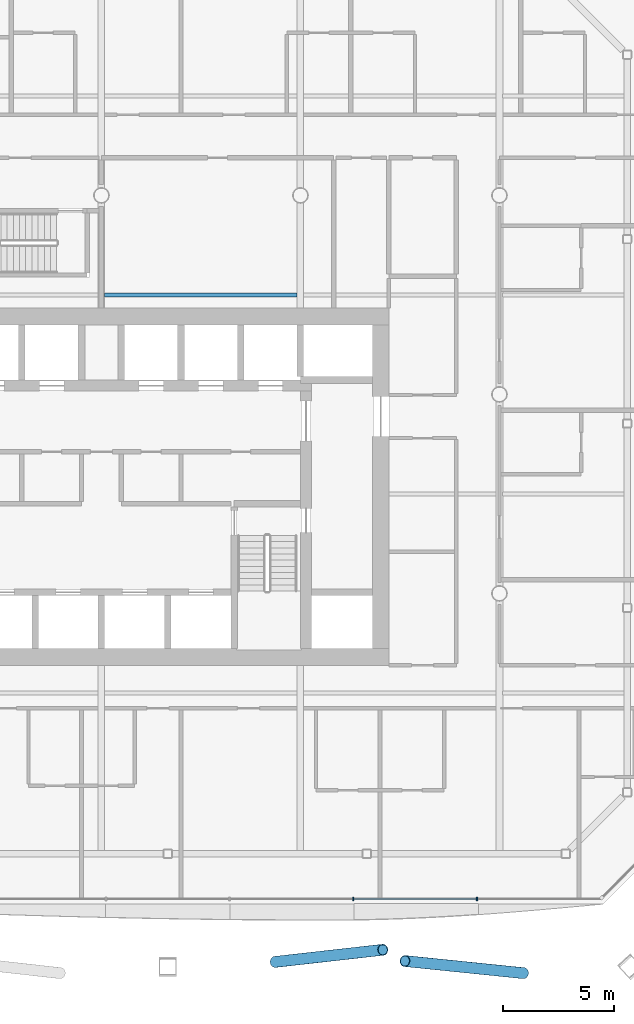
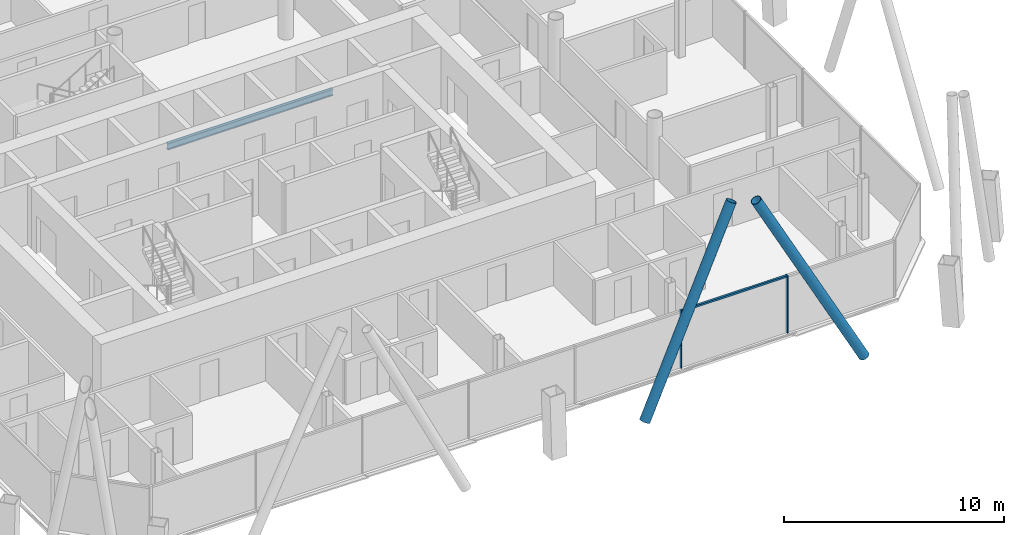
# One storey, part 6 of 23: 5 members, 1 beam, 1 element without a shape of its own.
"""IFC4 building model written with IfcOpenShell, lengths in metres."""

import ifcopenshell
import ifcopenshell.guid

model = None  # the IFC model being written
_history = None  # IfcOwnerHistory: only IFC2X3 demands one
_inside = {}  # id of a spatial element -> (the spatial element, [elements in it])
_under = {}  # id of a project, library or spatial element -> (it, [spatial elements below it])
_declared = {}  # id of a project -> (the project, [libraries it declares])
_typed = {}  # id of a type object -> (the type object, [elements of that type])
_made_of = {}  # id of a material, layer set ... -> (it, [elements and type objects made of it])


def new_model(schema):
    """Start an empty IFC model of exactly this schema.

    Asked for "IFC4X3", IfcOpenShell would pick the latest addendum, in which some entities
    have other attributes; the version numbers below select the first issue.
    IFC2X3 requires an IfcOwnerHistory on every rooted entity: one is made here for all.
    """
    global model, _history
    if schema == "IFC4X3":
        model = ifcopenshell.file(schema_version=(4, 3, 0, 0))
    else:
        model = ifcopenshell.file(schema=schema)
    _inside.clear()
    _under.clear()
    _declared.clear()
    _typed.clear()
    _made_of.clear()
    _history = None
    if model.schema == "IFC2X3":
        org = make("IfcOrganization", Name="unknown")
        user = make(
            "IfcPersonAndOrganization",
            ThePerson=make("IfcPerson", FamilyName="unknown"),
            TheOrganization=org,
        )
        app = make(
            "IfcApplication",
            ApplicationDeveloper=org,
            Version="unknown",
            ApplicationFullName="unknown",
            ApplicationIdentifier="unknown",
        )
        _history = make(
            "IfcOwnerHistory",
            OwningUser=user,
            OwningApplication=app,
            ChangeAction="ADDED",
            CreationDate=0,
        )
    return model


def make(cls, **values):
    """One entity of the class cls with the attributes given. An attribute that is None is left unset."""
    return model.create_entity(
        cls, **{name: value for name, value in values.items() if value is not None}
    )


def rooted(cls, **values):
    """An entity with a GlobalId (a new one), such as an element, a storey or a relation."""
    return make(cls, GlobalId=ifcopenshell.guid.new(), OwnerHistory=_history, **values)


def si_unit(unit_type, name, prefix=None):
    """IfcSIUnit, for example si_unit("LENGTHUNIT", "METRE", prefix="MILLI")."""
    return make("IfcSIUnit", UnitType=unit_type, Prefix=prefix, Name=name)


def assignment(units):
    """IfcUnitAssignment: the units of a project."""
    return None if units is None else make("IfcUnitAssignment", Units=units)


def point(xyz):
    """IfcCartesianPoint."""
    return None if xyz is None else make("IfcCartesianPoint", Coordinates=xyz)


def direction(xyz):
    """IfcDirection."""
    return None if xyz is None else make("IfcDirection", DirectionRatios=xyz)


def frame(location, z_axis=None, x_axis=None):
    """IfcAxis2Placement3D, a coordinate frame: its origin and axes. An axis left out is left unset."""
    return make(
        "IfcAxis2Placement3D",
        Location=point(location),
        Axis=direction(z_axis),
        RefDirection=direction(x_axis),
    )


def frame_2d(location, x_axis=None):
    """IfcAxis2Placement2D, a coordinate frame in the plane: its origin and x axis."""
    return make(
        "IfcAxis2Placement2D", Location=point(location), RefDirection=direction(x_axis)
    )


def origin():
    """The frame at (0, 0, 0) with its axes left unset."""
    return frame((0.0, 0.0, 0.0))


def origin_2d():
    """The frame at (0, 0) in the plane with its x axis left unset."""
    return frame_2d((0.0, 0.0))


def place(relative_to, where):
    """IfcLocalPlacement: puts the frame where relative to a parent placement (None: the world)."""
    return make(
        "IfcLocalPlacement", PlacementRelTo=relative_to, RelativePlacement=where
    )


def context(
    kind, dimensions, precision=None, world=None, true_north=None, identifier=None
):
    """IfcGeometricRepresentationContext, for example the 3D "Model" context."""
    return make(
        "IfcGeometricRepresentationContext",
        ContextIdentifier=identifier,
        ContextType=kind,
        CoordinateSpaceDimension=dimensions,
        Precision=precision,
        WorldCoordinateSystem=world,
        TrueNorth=true_north,
    )


def subcontext(parent, identifier, kind, view, scale=None):
    """IfcGeometricRepresentationSubContext, for example "Body" below "Model"."""
    return make(
        "IfcGeometricRepresentationSubContext",
        ContextIdentifier=identifier,
        ContextType=kind,
        ParentContext=parent,
        TargetScale=scale,
        TargetView=view,
    )


def project(units=None, contexts=None):
    """IfcProject with its units and contexts."""
    return rooted(
        "IfcProject",
        Name="project",
        RepresentationContexts=contexts,
        UnitsInContext=assignment(units),
    )


def spatial(cls, under=None, at=None, **own):
    """A site, building, storey or space (cls), placed at a placement, below another one or the project."""
    s = rooted(cls, ObjectPlacement=at, **own)
    if under is not None:
        _under.setdefault(under.id(), (under, []))[1].append(s)
    return s


def profile(cls, at=None, kind="AREA", **sizes):
    """A parametric profile (cls). Its sizes go by their IFC names, for example OverallWidth=200.0."""
    return make(cls, ProfileType=kind, Position=at, **sizes)


def rectangle(**sizes):
    """IfcRectangleProfileDef."""
    return profile("IfcRectangleProfileDef", **sizes)


def hollow_circle(**sizes):
    """IfcCircleHollowProfileDef."""
    return profile("IfcCircleHollowProfileDef", **sizes)


def i_section(**sizes):
    """IfcIShapeProfileDef."""
    return profile("IfcIShapeProfileDef", **sizes)


def extrude(swept, where, along, depth):
    """IfcExtrudedAreaSolid: the profile swept, set in the frame where, extruded along a direction by depth."""
    return make(
        "IfcExtrudedAreaSolid",
        SweptArea=swept,
        Position=where,
        ExtrudedDirection=direction(along),
        Depth=depth,
    )


def shape(context_of_items, identifier, shape_type, items):
    """IfcShapeRepresentation: the items that make up one representation, for example the "Body"."""
    return make(
        "IfcShapeRepresentation",
        ContextOfItems=context_of_items,
        RepresentationIdentifier=identifier,
        RepresentationType=shape_type,
        Items=items,
    )


def material(Name=None, Category=None):
    """IfcMaterial."""
    return make("IfcMaterial", Name=Name, Category=Category)


def material_profile(
    of_material, cross_section, Name=None, Category=None, Priority=None
):
    """IfcMaterialProfile: a cross section and its material."""
    return make(
        "IfcMaterialProfile",
        Name=Name,
        Material=of_material,
        Profile=cross_section,
        Priority=Priority,
        Category=Category,
    )


def profile_set(profiles, Name=None, composite=None):
    """IfcMaterialProfileSet."""
    return make(
        "IfcMaterialProfileSet",
        Name=Name,
        MaterialProfiles=profiles,
        CompositeProfile=composite,
    )


def made_of(thing, what):
    """Note that an element or type object is made of a material, layer set ...; save() writes the relation."""
    if what is not None:
        _made_of.setdefault(what.id(), (what, []))[1].append(thing)
    return thing


def type_object(cls, material=None, **own):
    """A type object (cls), such as IfcWallType, which elements share."""
    return made_of(rooted(cls, **own), material)


def element(
    cls,
    number,
    at=None,
    inside=None,
    cuts=None,
    type_object=None,
    material=None,
    context=None,
    identifier="Body",
    shape_type=None,
    held_by="IfcProductDefinitionShape",
    body=None,
    shapes=None,
    **own,
):
    """One element of the class cls, such as IfcWall. Its Tag is "e" and its number.

    at: its placement. inside: the storey or other place that contains it. cuts: it is an
    opening in that element (IfcRelVoidsElement). A single representation is given by context,
    identifier, shape_type and body (its items); several are given by shapes. held_by: the class
    of the entity that holds the representations. save() writes the other relations.
    """
    e = rooted(cls, Tag="e%d" % number, ObjectPlacement=at, **own)
    if body is not None:
        shapes = [shape(context, identifier, shape_type, body)]
    if shapes is not None:
        e.Representation = make(held_by, Representations=shapes)
    if inside is not None:
        _inside.setdefault(inside.id(), (inside, []))[1].append(e)
    if cuts is not None:
        rooted(
            "IfcRelVoidsElement", RelatingBuildingElement=cuts, RelatedOpeningElement=e
        )
    if type_object is not None:
        _typed.setdefault(type_object.id(), (type_object, []))[1].append(e)
    return made_of(e, material)


def aggregate(whole, parts):
    """IfcRelAggregates: a whole, such as a stair, and the parts it consists of."""
    return rooted("IfcRelAggregates", RelatingObject=whole, RelatedObjects=parts)


def save(model, path):
    """Write the relations noted so far, then the file.

    IfcRelAggregates (storeys below a building ...), IfcRelContainedInSpatialStructure (elements
    in a storey), IfcRelDefinesByType, IfcRelAssociatesMaterial and IfcRelDeclares: one each for
    every whole, place, type object, material and project.
    """
    for whole, parts in _under.values():
        aggregate(whole, parts)
    for where, things in _inside.values():
        rooted(
            "IfcRelContainedInSpatialStructure",
            RelatedElements=things,
            RelatingStructure=where,
        )
    for kind, things in _typed.values():
        rooted("IfcRelDefinesByType", RelatedObjects=things, RelatingType=kind)
    for what, things in _made_of.values():
        rooted("IfcRelAssociatesMaterial", RelatedObjects=things, RelatingMaterial=what)
    for by, libraries in _declared.values():
        rooted("IfcRelDeclares", RelatingContext=by, RelatedDefinitions=libraries)
    model.write(path)


model = new_model("IFC4")

# Units and contexts
model_context = context("Model", 3, precision=1e-05, world=origin(), true_north=direction((0.0, 1.0)))
body_context = subcontext(model_context, "Body", "Model", "MODEL_VIEW")
ifc_project = project(units=[si_unit("LENGTHUNIT", "METRE"), si_unit("AREAUNIT", "SQUARE_METRE"), si_unit("VOLUMEUNIT", "CUBIC_METRE"), si_unit("PLANEANGLEUNIT", "RADIAN"), si_unit("MASSUNIT", "GRAM", prefix="KILO")], contexts=[model_context])

# Site, building, storey
site_placement = place(None, origin())
site = spatial("IfcSite", under=ifc_project, at=site_placement, CompositionType="ELEMENT")
building_placement = place(site_placement, origin())
building = spatial("IfcBuilding", under=site, at=building_placement, Name="Tskaro Facet Tower", CompositionType="ELEMENT")
storey_placement = place(building_placement, frame((0.0, 0.0, 131.699951171875)))
storey = spatial("IfcBuildingStorey", under=building, at=storey_placement, Name="L31", CompositionType="ELEMENT", Elevation=131.699951171875)

# Members
ifc_material_1 = material(Name="Steel S355J2H", Category="steel")
ifc_material_profile_1 = material_profile(ifc_material_1, hollow_circle(Radius=0.25390625, WallThickness=0.02490234375, at=origin_2d()), Name="CHS 508x25")
ifc_profile_set_1 = profile_set([ifc_material_profile_1], Name="Steel S355J2H")
member_type_1 = type_object("IfcMemberType", Name="CHS 508x25 brace", PredefinedType="BRACE", material=ifc_profile_set_1)
member_1_placement = place(storey_placement, frame((7.862548828125, -25.665283203125, 0.0), z_axis=(0.42982031619, 0.048426810741, 0.901614851138), x_axis=(-0.111959207267, 0.993712803534, 0.0)))
element("IfcMember", 1, at=member_1_placement, inside=storey, type_object=member_type_1, Name="CHS 508x25 XB02A/3", PredefinedType="BRACE", context=body_context, shape_type="SweptSolid", body=[
    extrude(hollow_circle(Radius=0.25390625, WallThickness=0.02490234375, at=origin_2d()), origin(), (0.0, 0.0, 1.0), 11.31298828125),
])
member_2_placement = place(storey_placement, frame((19.088134765625, -26.17333984375, 0.0), z_axis=(-0.464824097966, 0.047487606457, 0.884128658727), x_axis=(-0.101633524217, -0.994821907054, 0.0)))
element("IfcMember", 2, at=member_2_placement, inside=storey, type_object=member_type_1, Name="CHS 508x25 XB02B/3", PredefinedType="BRACE", context=body_context, shape_type="SweptSolid", body=[
    extrude(hollow_circle(Radius=0.25390625, WallThickness=0.02490234375, at=origin_2d()), origin(), (0.0, 0.0, 1.0), 11.53662109375),
])

# Curtain wall, members
ifc_material_2 = material(Name="Bronze anodised aluminium 6063-T6", Category="aluminium")
curtain_wall_type = type_object("IfcCurtainWallType", Name="Bronze hotel curtain wall (FW2)", PredefinedType="NOTDEFINED", material=ifc_material_2)
curtain_wall_placement = place(storey_placement, origin())
curtain_wall = element("IfcCurtainWall", 3, at=curtain_wall_placement, inside=storey, type_object=curtain_wall_type, Name="FW2 south facet L31", PredefinedType="NOTDEFINED")
ifc_material_profile_2 = material_profile(ifc_material_2, rectangle(XDim=0.06005859375, YDim=0.14990234375, at=origin_2d()), Name="Mullion 60x150")
ifc_profile_set_2 = profile_set([ifc_material_profile_2], Name="Bronze anodised aluminium 6063-T6")
member_type_2 = type_object("IfcMemberType", Name="FW2 bronze mullion 60x150", PredefinedType="MULLION", material=ifc_profile_set_2)
member_3_placement = place(storey_placement, frame((11.388916015625, -22.820068359375, 0.0), z_axis=(0.0, 0.0, 1.0), x_axis=(1.0, 0.0, 0.0)))
member_3 = element("IfcMember", 4, at=member_3_placement, type_object=member_type_2, Name="FW2 south mullion 5", PredefinedType="MULLION", context=body_context, shape_type="SweptSolid", body=[
    extrude(rectangle(XDim=0.06005859375, YDim=0.14990234375, at=origin_2d()), origin(), (0.0, 0.0, 1.0), 3.199951171875),
])
member_4_placement = place(storey_placement, frame((16.9814453125, -22.820068359375, 0.0), z_axis=(0.0, 0.0, 1.0), x_axis=(1.0, 0.0, 0.0)))
member_4 = element("IfcMember", 5, at=member_4_placement, type_object=member_type_2, Name="FW2 south mullion 6", PredefinedType="MULLION", context=body_context, shape_type="SweptSolid", body=[
    extrude(rectangle(XDim=0.06005859375, YDim=0.14990234375, at=origin_2d()), origin(), (0.0, 0.0, 1.0), 3.199951171875),
])
ifc_material_profile_3 = material_profile(ifc_material_2, rectangle(XDim=0.110107421875, YDim=0.10009765625, at=origin_2d()), Name="Transom 110x100")
ifc_profile_set_3 = profile_set([ifc_material_profile_3], Name="Bronze anodised aluminium 6063-T6")
member_type_3 = type_object("IfcMemberType", Name="FW2 bronze transom 110x100", PredefinedType="USERDEFINED", material=ifc_profile_set_3)
member_5_placement = place(storey_placement, frame((11.4189453125, -22.820068359375, 3.150146484375), z_axis=(1.0, 0.0, 0.0), x_axis=(0.0, 1.0, 0.0)))
member_5 = element("IfcMember", 6, at=member_5_placement, type_object=member_type_3, Name="FW2 south transom 6.1", ObjectType="TRANSOM", PredefinedType="USERDEFINED", context=body_context, shape_type="SweptSolid", body=[
    extrude(rectangle(XDim=0.110107421875, YDim=0.10009765625, at=origin_2d()), origin(), (0.0, 0.0, 1.0), 5.532470703125),
])
aggregate(curtain_wall, [member_3, member_4, member_5])

# Beam
ifc_material_3 = material(Name="Steel S355J2", Category="steel")
ifc_material_profile_4 = material_profile(ifc_material_3, i_section(OverallWidth=0.169921875, OverallDepth=0.360107421875, WebThickness=0.008056640625, FlangeThickness=0.0126953125, FilletRadius=0.01806640625, at=origin_2d()), Name="IPE 360")
ifc_profile_set_4 = profile_set([ifc_material_profile_4], Name="Steel S355J2")
beam_type = type_object("IfcBeamType", Name="IPE 360 secondary beam", PredefinedType="BEAM", material=ifc_profile_set_4)
beam_placement = place(storey_placement, frame((0.14990234375, 4.5, -0.320068359375), z_axis=(1.0, 0.0, 0.0), x_axis=(0.0, 1.0, 0.0)))
element("IfcBeam", 7, at=beam_placement, inside=storey, type_object=beam_type, Name="IPE 360 SB4a-3-3", PredefinedType="BEAM", context=body_context, shape_type="SweptSolid", body=[
    extrude(i_section(OverallWidth=0.169921875, OverallDepth=0.360107421875, WebThickness=0.008056640625, FlangeThickness=0.0126953125, FilletRadius=0.01806640625, at=origin_2d()), origin(), (0.0, 0.0, 1.0), 8.7001953125),
])

save(model, "model.ifc")
